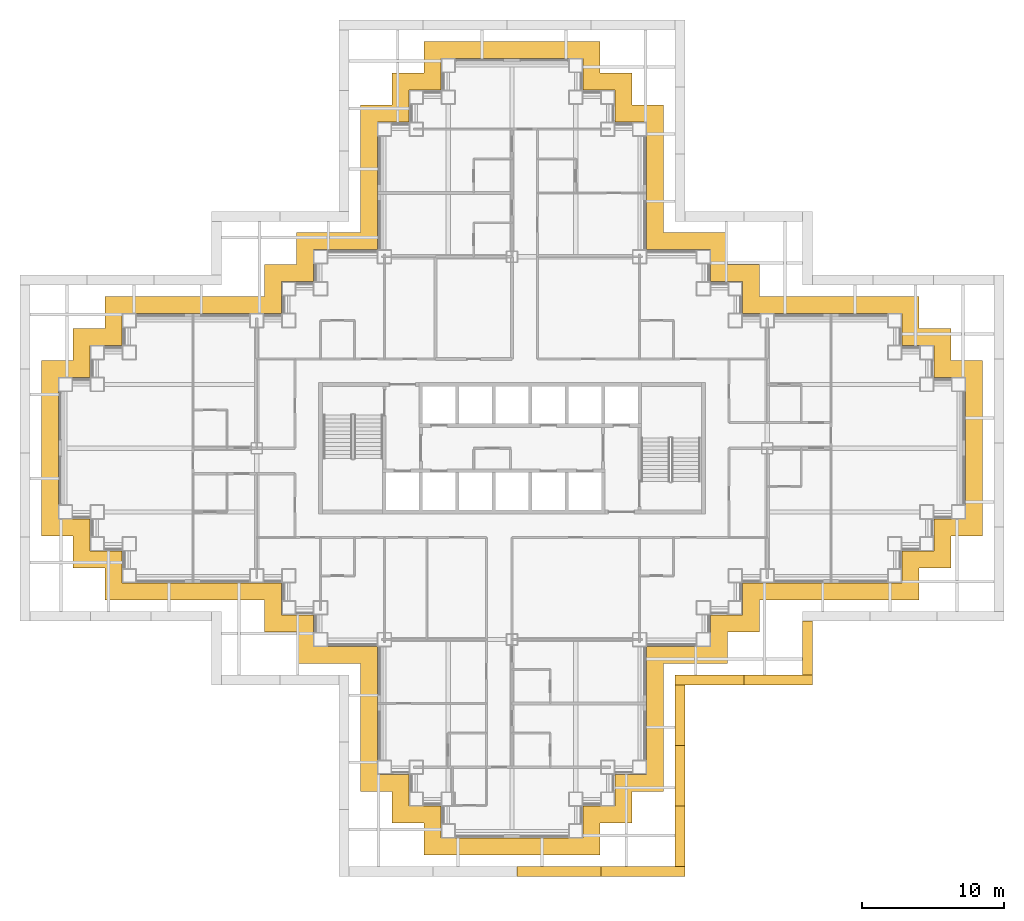
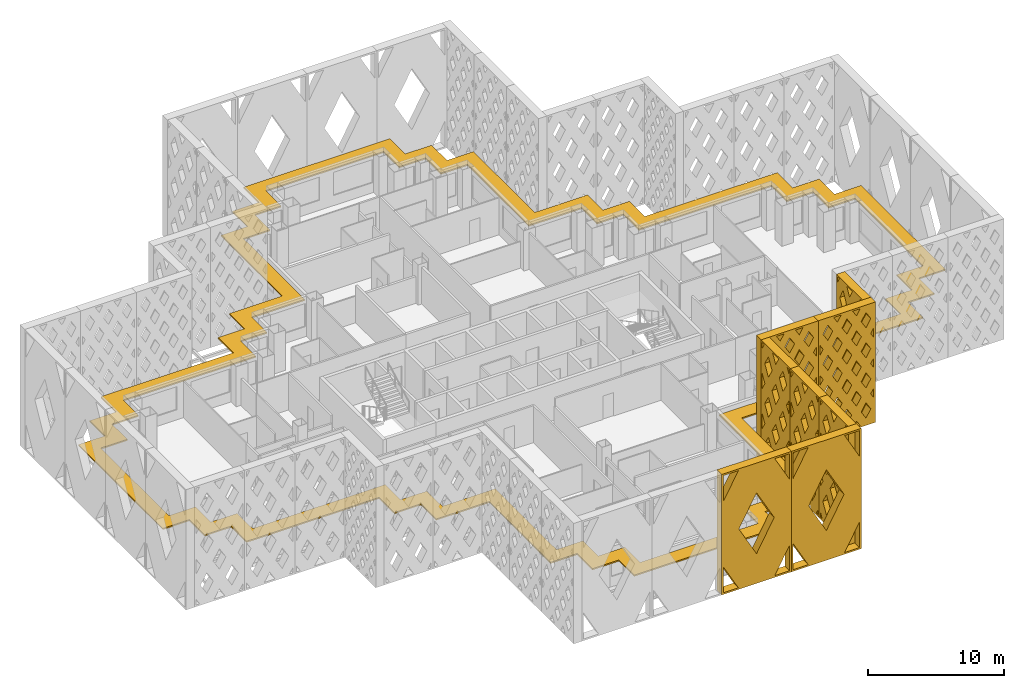
# One storey, part 15 of 19: 9 shading devices.
"""IFC4 building model written with IfcOpenShell, lengths in metres."""

from ifc_helpers import new_model, si_unit, direction, frame, origin, place, context, subcontext, project, spatial, polyline, outline, extrude, material, layer, layer_set, type_object, element, save


model = new_model("IFC4")

# Units and contexts
model_context = context("Model", 3, precision=1e-05, world=origin(), true_north=direction((0.0, 1.0)))
body_context = subcontext(model_context, "Body", "Model", "MODEL_VIEW")
ifc_project = project(units=[si_unit("LENGTHUNIT", "METRE"), si_unit("AREAUNIT", "SQUARE_METRE"), si_unit("VOLUMEUNIT", "CUBIC_METRE"), si_unit("PLANEANGLEUNIT", "RADIAN"), si_unit("MASSUNIT", "GRAM", prefix="KILO")], contexts=[model_context])

# Site, building, storey
site_placement = place(None, origin())
site = spatial("IfcSite", under=ifc_project, at=site_placement, CompositionType="ELEMENT")
building_placement = place(site_placement, origin())
building = spatial("IfcBuilding", under=site, at=building_placement, Name="Caravel Reach Hotel and Residences", CompositionType="ELEMENT")
storey_placement = place(building_placement, frame((0.0, 0.0, 63.60009765625)))
storey = spatial("IfcBuildingStorey", under=building, at=storey_placement, Name="L14", CompositionType="ELEMENT", Elevation=63.60009765625)

# Shading devices
ifc_material_1 = material(Name="Black powder-coated aluminium", Category="aluminium")
shading_device_type_1 = type_object("IfcShadingDeviceType", Name="Diamond lattice screen panel 3800 x 10800", PredefinedType="USERDEFINED", material=ifc_material_1)
shading_device_1_placement = place(storey_placement, frame((52.0, 11.0, 0.0), z_axis=(1.0, 0.0, 0.0), x_axis=(0.0, 1.0, 0.0)))
element("IfcShadingDevice", 1, at=shading_device_1_placement, inside=storey, type_object=shading_device_type_1, Name="Lattice screen L14-L16 5.1", ObjectType="SCREEN", PredefinedType="USERDEFINED", context=body_context, shape_type="SweptSolid", body=[
    extrude(outline(polyline([(0.0, 0.0), (3.800048828125, 0.0), (3.800048828125, 10.800048828125), (0.0, 10.800048828125), (0.0, 0.0)]), holes=[polyline([(0.41015625, 0.14990234375), (0.14990234375, 0.64306640625), (0.14990234375, 0.14990234375), (0.41015625, 0.14990234375)]), polyline([(0.489501953125, 3.60009765625), (0.14990234375, 4.2431640625), (0.14990234375, 2.956787109375), (0.489501953125, 3.60009765625)]), polyline([(0.489501953125, 7.199951171875), (0.14990234375, 7.843017578125), (0.14990234375, 6.556884765625), (0.489501953125, 7.199951171875)]), polyline([(0.14990234375, 10.156982421875), (0.41015625, 10.64990234375), (0.14990234375, 10.64990234375), (0.14990234375, 10.156982421875)]), polyline([(0.949951171875, 2.727294921875), (0.460693359375, 1.800048828125), (0.949951171875, 0.872802734375), (1.439453125, 1.800048828125), (0.949951171875, 2.727294921875)]), polyline([(0.949951171875, 6.327392578125), (0.460693359375, 5.39990234375), (0.949951171875, 4.47265625), (1.439453125, 5.39990234375), (0.949951171875, 6.327392578125)]), polyline([(0.949951171875, 9.92724609375), (0.460693359375, 9.0), (0.949951171875, 8.07275390625), (1.439453125, 9.0), (0.949951171875, 9.92724609375)]), polyline([(1.89990234375, 0.92724609375), (1.48974609375, 0.14990234375), (2.310302734375, 0.14990234375), (1.89990234375, 0.92724609375)]), polyline([(1.89990234375, 4.52734375), (1.41064453125, 3.60009765625), (1.89990234375, 2.672607421875), (2.389404296875, 3.60009765625), (1.89990234375, 4.52734375)]), polyline([(1.89990234375, 8.127197265625), (1.41064453125, 7.199951171875), (1.89990234375, 6.272705078125), (2.389404296875, 7.199951171875), (1.89990234375, 8.127197265625)]), polyline([(1.89990234375, 9.872802734375), (2.310302734375, 10.64990234375), (1.48974609375, 10.64990234375), (1.89990234375, 9.872802734375)]), polyline([(2.85009765625, 2.727294921875), (2.360595703125, 1.800048828125), (2.85009765625, 0.872802734375), (3.33935546875, 1.800048828125), (2.85009765625, 2.727294921875)]), polyline([(2.85009765625, 6.327392578125), (2.360595703125, 5.39990234375), (2.85009765625, 4.47265625), (3.33935546875, 5.39990234375), (2.85009765625, 6.327392578125)]), polyline([(2.85009765625, 9.92724609375), (2.360595703125, 9.0), (2.85009765625, 8.07275390625), (3.33935546875, 9.0), (2.85009765625, 9.92724609375)]), polyline([(3.64990234375, 0.64306640625), (3.3896484375, 0.14990234375), (3.64990234375, 0.14990234375), (3.64990234375, 0.64306640625)]), polyline([(3.310546875, 3.60009765625), (3.64990234375, 2.956787109375), (3.64990234375, 4.2431640625), (3.310546875, 3.60009765625)]), polyline([(3.310546875, 7.199951171875), (3.64990234375, 6.556884765625), (3.64990234375, 7.843017578125), (3.310546875, 7.199951171875)]), polyline([(3.3896484375, 10.64990234375), (3.64990234375, 10.156982421875), (3.64990234375, 10.64990234375), (3.3896484375, 10.64990234375)])]), origin(), (0.0, 0.0, 1.0), 0.699951171875),
])
ifc_material_2 = material(Name="Black powder-coated aluminium", Category="aluminium")
shading_device_type_2 = type_object("IfcShadingDeviceType", Name="Diamond lattice screen panel 4267 x 10800", PredefinedType="USERDEFINED", material=ifc_material_2)
shading_device_2_placement = place(storey_placement, frame((43.0, -2.5, 0.0), z_axis=(1.0, 0.0, 0.0), x_axis=(0.0, 1.0, 0.0)))
element("IfcShadingDevice", 2, at=shading_device_2_placement, inside=storey, type_object=shading_device_type_2, Name="Lattice screen L14-L16 3.1", ObjectType="SCREEN", PredefinedType="USERDEFINED", context=body_context, shape_type="SweptSolid", body=[
    extrude(outline(polyline([(0.0, 0.0), (4.2666015625, 0.0), (4.2666015625, 10.800048828125), (0.0, 10.800048828125), (0.0, 0.0)]), holes=[polyline([(0.457275390625, 0.14990234375), (0.14990234375, 0.66845703125), (0.14990234375, 0.14990234375), (0.457275390625, 0.14990234375)]), polyline([(0.546142578125, 3.60009765625), (0.14990234375, 4.2685546875), (0.14990234375, 2.931396484375), (0.546142578125, 3.60009765625)]), polyline([(0.546142578125, 7.199951171875), (0.14990234375, 7.868408203125), (0.14990234375, 6.531494140625), (0.546142578125, 7.199951171875)]), polyline([(0.14990234375, 10.131591796875), (0.457275390625, 10.64990234375), (0.14990234375, 10.64990234375), (0.14990234375, 10.131591796875)]), polyline([(1.066650390625, 2.7216796875), (0.5205078125, 1.800048828125), (1.066650390625, 0.87841796875), (1.61279296875, 1.800048828125), (1.066650390625, 2.7216796875)]), polyline([(1.066650390625, 6.321533203125), (0.5205078125, 5.39990234375), (1.066650390625, 4.478271484375), (1.61279296875, 5.39990234375), (1.066650390625, 6.321533203125)]), polyline([(1.066650390625, 9.921630859375), (0.5205078125, 9.0), (1.066650390625, 8.078369140625), (1.61279296875, 9.0), (1.066650390625, 9.921630859375)]), polyline([(2.13330078125, 0.921630859375), (1.676025390625, 0.14990234375), (2.590576171875, 0.14990234375), (2.13330078125, 0.921630859375)]), polyline([(2.13330078125, 4.521728515625), (1.587158203125, 3.60009765625), (2.13330078125, 2.678466796875), (2.679443359375, 3.60009765625), (2.13330078125, 4.521728515625)]), polyline([(2.13330078125, 8.12158203125), (1.587158203125, 7.199951171875), (2.13330078125, 6.2783203125), (2.679443359375, 7.199951171875), (2.13330078125, 8.12158203125)]), polyline([(2.13330078125, 9.87841796875), (2.590576171875, 10.64990234375), (1.676025390625, 10.64990234375), (2.13330078125, 9.87841796875)]), polyline([(3.199951171875, 2.7216796875), (2.65380859375, 1.800048828125), (3.199951171875, 0.87841796875), (3.74609375, 1.800048828125), (3.199951171875, 2.7216796875)]), polyline([(3.199951171875, 6.321533203125), (2.65380859375, 5.39990234375), (3.199951171875, 4.478271484375), (3.74609375, 5.39990234375), (3.199951171875, 6.321533203125)]), polyline([(3.199951171875, 9.921630859375), (2.65380859375, 9.0), (3.199951171875, 8.078369140625), (3.74609375, 9.0), (3.199951171875, 9.921630859375)]), polyline([(4.11669921875, 0.66845703125), (3.809326171875, 0.14990234375), (4.11669921875, 0.14990234375), (4.11669921875, 0.66845703125)]), polyline([(3.720458984375, 3.60009765625), (4.11669921875, 2.931396484375), (4.11669921875, 4.2685546875), (3.720458984375, 3.60009765625)]), polyline([(3.720458984375, 7.199951171875), (4.11669921875, 6.531494140625), (4.11669921875, 7.868408203125), (3.720458984375, 7.199951171875)]), polyline([(3.809326171875, 10.64990234375), (4.11669921875, 10.131591796875), (4.11669921875, 10.64990234375), (3.809326171875, 10.64990234375)])]), origin(), (0.0, 0.0, 1.0), 0.699951171875),
])
shading_device_3_placement = place(storey_placement, frame((43.0, 1.7666015625, 0.0), z_axis=(1.0, 0.0, 0.0), x_axis=(0.0, 1.0, 0.0)))
element("IfcShadingDevice", 3, at=shading_device_3_placement, inside=storey, type_object=shading_device_type_2, Name="Lattice screen L14-L16 3.2", ObjectType="SCREEN", PredefinedType="USERDEFINED", context=body_context, shape_type="SweptSolid", body=[
    extrude(outline(polyline([(0.0, 0.0), (4.2666015625, 0.0), (4.2666015625, 10.800048828125), (0.0, 10.800048828125), (0.0, 0.0)]), holes=[polyline([(0.457275390625, 0.14990234375), (0.14990234375, 0.66845703125), (0.14990234375, 0.14990234375), (0.457275390625, 0.14990234375)]), polyline([(0.546142578125, 3.60009765625), (0.14990234375, 4.2685546875), (0.14990234375, 2.931396484375), (0.546142578125, 3.60009765625)]), polyline([(0.546142578125, 7.199951171875), (0.14990234375, 7.868408203125), (0.14990234375, 6.531494140625), (0.546142578125, 7.199951171875)]), polyline([(0.14990234375, 10.131591796875), (0.457275390625, 10.64990234375), (0.14990234375, 10.64990234375), (0.14990234375, 10.131591796875)]), polyline([(1.066650390625, 2.7216796875), (0.5205078125, 1.800048828125), (1.066650390625, 0.87841796875), (1.61279296875, 1.800048828125), (1.066650390625, 2.7216796875)]), polyline([(1.066650390625, 6.321533203125), (0.5205078125, 5.39990234375), (1.066650390625, 4.478271484375), (1.61279296875, 5.39990234375), (1.066650390625, 6.321533203125)]), polyline([(1.066650390625, 9.921630859375), (0.5205078125, 9.0), (1.066650390625, 8.078369140625), (1.61279296875, 9.0), (1.066650390625, 9.921630859375)]), polyline([(2.13330078125, 0.921630859375), (1.676025390625, 0.14990234375), (2.590576171875, 0.14990234375), (2.13330078125, 0.921630859375)]), polyline([(2.13330078125, 4.521728515625), (1.587158203125, 3.60009765625), (2.13330078125, 2.678466796875), (2.679443359375, 3.60009765625), (2.13330078125, 4.521728515625)]), polyline([(2.13330078125, 8.12158203125), (1.587158203125, 7.199951171875), (2.13330078125, 6.2783203125), (2.679443359375, 7.199951171875), (2.13330078125, 8.12158203125)]), polyline([(2.13330078125, 9.87841796875), (2.590576171875, 10.64990234375), (1.676025390625, 10.64990234375), (2.13330078125, 9.87841796875)]), polyline([(3.199951171875, 2.7216796875), (2.65380859375, 1.800048828125), (3.199951171875, 0.87841796875), (3.74609375, 1.800048828125), (3.199951171875, 2.7216796875)]), polyline([(3.199951171875, 6.321533203125), (2.65380859375, 5.39990234375), (3.199951171875, 4.478271484375), (3.74609375, 5.39990234375), (3.199951171875, 6.321533203125)]), polyline([(3.199951171875, 9.921630859375), (2.65380859375, 9.0), (3.199951171875, 8.078369140625), (3.74609375, 9.0), (3.199951171875, 9.921630859375)]), polyline([(4.11669921875, 0.66845703125), (3.809326171875, 0.14990234375), (4.11669921875, 0.14990234375), (4.11669921875, 0.66845703125)]), polyline([(3.720458984375, 3.60009765625), (4.11669921875, 2.931396484375), (4.11669921875, 4.2685546875), (3.720458984375, 3.60009765625)]), polyline([(3.720458984375, 7.199951171875), (4.11669921875, 6.531494140625), (4.11669921875, 7.868408203125), (3.720458984375, 7.199951171875)]), polyline([(3.809326171875, 10.64990234375), (4.11669921875, 10.131591796875), (4.11669921875, 10.64990234375), (3.809326171875, 10.64990234375)])]), origin(), (0.0, 0.0, 1.0), 0.699951171875),
])
shading_device_4_placement = place(storey_placement, frame((43.0, 6.033447265625, 0.0), z_axis=(1.0, 0.0, 0.0), x_axis=(0.0, 1.0, 0.0)))
element("IfcShadingDevice", 4, at=shading_device_4_placement, inside=storey, type_object=shading_device_type_2, Name="Lattice screen L14-L16 3.3", ObjectType="SCREEN", PredefinedType="USERDEFINED", context=body_context, shape_type="SweptSolid", body=[
    extrude(outline(polyline([(0.0, 0.0), (4.2666015625, 0.0), (4.2666015625, 10.800048828125), (0.0, 10.800048828125), (0.0, 0.0)]), holes=[polyline([(0.457275390625, 0.14990234375), (0.14990234375, 0.66845703125), (0.14990234375, 0.14990234375), (0.457275390625, 0.14990234375)]), polyline([(0.546142578125, 3.60009765625), (0.14990234375, 4.2685546875), (0.14990234375, 2.931396484375), (0.546142578125, 3.60009765625)]), polyline([(0.546142578125, 7.199951171875), (0.14990234375, 7.868408203125), (0.14990234375, 6.531494140625), (0.546142578125, 7.199951171875)]), polyline([(0.14990234375, 10.131591796875), (0.457275390625, 10.64990234375), (0.14990234375, 10.64990234375), (0.14990234375, 10.131591796875)]), polyline([(1.066650390625, 2.7216796875), (0.5205078125, 1.800048828125), (1.066650390625, 0.87841796875), (1.61279296875, 1.800048828125), (1.066650390625, 2.7216796875)]), polyline([(1.066650390625, 6.321533203125), (0.5205078125, 5.39990234375), (1.066650390625, 4.478271484375), (1.61279296875, 5.39990234375), (1.066650390625, 6.321533203125)]), polyline([(1.066650390625, 9.921630859375), (0.5205078125, 9.0), (1.066650390625, 8.078369140625), (1.61279296875, 9.0), (1.066650390625, 9.921630859375)]), polyline([(2.13330078125, 0.921630859375), (1.676025390625, 0.14990234375), (2.590576171875, 0.14990234375), (2.13330078125, 0.921630859375)]), polyline([(2.13330078125, 4.521728515625), (1.587158203125, 3.60009765625), (2.13330078125, 2.678466796875), (2.679443359375, 3.60009765625), (2.13330078125, 4.521728515625)]), polyline([(2.13330078125, 8.12158203125), (1.587158203125, 7.199951171875), (2.13330078125, 6.2783203125), (2.679443359375, 7.199951171875), (2.13330078125, 8.12158203125)]), polyline([(2.13330078125, 9.87841796875), (2.590576171875, 10.64990234375), (1.676025390625, 10.64990234375), (2.13330078125, 9.87841796875)]), polyline([(3.199951171875, 2.7216796875), (2.65380859375, 1.800048828125), (3.199951171875, 0.87841796875), (3.74609375, 1.800048828125), (3.199951171875, 2.7216796875)]), polyline([(3.199951171875, 6.321533203125), (2.65380859375, 5.39990234375), (3.199951171875, 4.478271484375), (3.74609375, 5.39990234375), (3.199951171875, 6.321533203125)]), polyline([(3.199951171875, 9.921630859375), (2.65380859375, 9.0), (3.199951171875, 8.078369140625), (3.74609375, 9.0), (3.199951171875, 9.921630859375)]), polyline([(4.11669921875, 0.66845703125), (3.809326171875, 0.14990234375), (4.11669921875, 0.14990234375), (4.11669921875, 0.66845703125)]), polyline([(3.720458984375, 3.60009765625), (4.11669921875, 2.931396484375), (4.11669921875, 4.2685546875), (3.720458984375, 3.60009765625)]), polyline([(3.720458984375, 7.199951171875), (4.11669921875, 6.531494140625), (4.11669921875, 7.868408203125), (3.720458984375, 7.199951171875)]), polyline([(3.809326171875, 10.64990234375), (4.11669921875, 10.131591796875), (4.11669921875, 10.64990234375), (3.809326171875, 10.64990234375)])]), origin(), (0.0, 0.0, 1.0), 0.699951171875),
])
ifc_material_3 = material(Name="Black powder-coated aluminium", Category="aluminium")
shading_device_type_3 = type_object("IfcShadingDeviceType", Name="Diamond lattice screen panel 4850 x 10800", PredefinedType="USERDEFINED", material=ifc_material_3)
shading_device_5_placement = place(storey_placement, frame((43.0, 11.0, 0.0), z_axis=(0.0, -1.0, 0.0), x_axis=(1.0, 0.0, 0.0)))
element("IfcShadingDevice", 5, at=shading_device_5_placement, inside=storey, type_object=shading_device_type_3, Name="Lattice screen L14-L16 4.1", ObjectType="SCREEN", PredefinedType="USERDEFINED", context=body_context, shape_type="SweptSolid", body=[
    extrude(outline(polyline([(0.0, 0.0), (4.85009765625, 0.0), (4.85009765625, 10.800048828125), (0.0, 10.800048828125), (0.0, 0.0)]), holes=[polyline([(0.410888671875, 2.699951171875), (0.14990234375, 3.1357421875), (0.14990234375, 2.26416015625), (0.410888671875, 2.699951171875)]), polyline([(0.410888671875, 5.39990234375), (0.14990234375, 5.835693359375), (0.14990234375, 4.964111328125), (0.410888671875, 5.39990234375)]), polyline([(0.410888671875, 8.10009765625), (0.14990234375, 8.535888671875), (0.14990234375, 7.664306640625), (0.410888671875, 8.10009765625)]), polyline([(0.808349609375, 2.036376953125), (0.3974609375, 1.35009765625), (0.808349609375, 0.663818359375), (1.21923828125, 1.35009765625), (0.808349609375, 2.036376953125)]), polyline([(0.808349609375, 4.736328125), (0.3974609375, 4.050048828125), (0.808349609375, 3.36376953125), (1.21923828125, 4.050048828125), (0.808349609375, 4.736328125)]), polyline([(0.808349609375, 7.436279296875), (0.3974609375, 6.75), (0.808349609375, 6.063720703125), (1.21923828125, 6.75), (0.808349609375, 7.436279296875)]), polyline([(0.808349609375, 10.13623046875), (0.3974609375, 9.449951171875), (0.808349609375, 8.763671875), (1.21923828125, 9.449951171875), (0.808349609375, 10.13623046875)]), polyline([(1.61669921875, 0.686279296875), (1.295654296875, 0.14990234375), (1.937744140625, 0.14990234375), (1.61669921875, 0.686279296875)]), polyline([(1.61669921875, 3.38623046875), (1.205810546875, 2.699951171875), (1.61669921875, 2.013671875), (2.027587890625, 2.699951171875), (1.61669921875, 3.38623046875)]), polyline([(1.61669921875, 6.086181640625), (1.205810546875, 5.39990234375), (1.61669921875, 4.713623046875), (2.027587890625, 5.39990234375), (1.61669921875, 6.086181640625)]), polyline([(1.61669921875, 8.786376953125), (1.205810546875, 8.10009765625), (1.61669921875, 7.413818359375), (2.027587890625, 8.10009765625), (1.61669921875, 8.786376953125)]), polyline([(1.61669921875, 10.11376953125), (1.937744140625, 10.64990234375), (1.295654296875, 10.64990234375), (1.61669921875, 10.11376953125)]), polyline([(2.425048828125, 2.036376953125), (2.01416015625, 1.35009765625), (2.425048828125, 0.663818359375), (2.8359375, 1.35009765625), (2.425048828125, 2.036376953125)]), polyline([(2.425048828125, 4.736328125), (2.01416015625, 4.050048828125), (2.425048828125, 3.36376953125), (2.8359375, 4.050048828125), (2.425048828125, 4.736328125)]), polyline([(2.425048828125, 7.436279296875), (2.01416015625, 6.75), (2.425048828125, 6.063720703125), (2.8359375, 6.75), (2.425048828125, 7.436279296875)]), polyline([(2.425048828125, 10.13623046875), (2.01416015625, 9.449951171875), (2.425048828125, 8.763671875), (2.8359375, 9.449951171875), (2.425048828125, 10.13623046875)]), polyline([(3.2333984375, 0.686279296875), (2.912109375, 0.14990234375), (3.554443359375, 0.14990234375), (3.2333984375, 0.686279296875)]), polyline([(3.2333984375, 3.38623046875), (2.822509765625, 2.699951171875), (3.2333984375, 2.013671875), (3.644287109375, 2.699951171875), (3.2333984375, 3.38623046875)]), polyline([(3.2333984375, 6.086181640625), (2.822509765625, 5.39990234375), (3.2333984375, 4.713623046875), (3.644287109375, 5.39990234375), (3.2333984375, 6.086181640625)]), polyline([(3.2333984375, 8.786376953125), (2.822509765625, 8.10009765625), (3.2333984375, 7.413818359375), (3.644287109375, 8.10009765625), (3.2333984375, 8.786376953125)]), polyline([(3.2333984375, 10.11376953125), (3.554443359375, 10.64990234375), (2.912109375, 10.64990234375), (3.2333984375, 10.11376953125)]), polyline([(4.041748046875, 2.036376953125), (3.630859375, 1.35009765625), (4.041748046875, 0.663818359375), (4.45263671875, 1.35009765625), (4.041748046875, 2.036376953125)]), polyline([(4.041748046875, 4.736328125), (3.630859375, 4.050048828125), (4.041748046875, 3.36376953125), (4.45263671875, 4.050048828125), (4.041748046875, 4.736328125)]), polyline([(4.041748046875, 7.436279296875), (3.630859375, 6.75), (4.041748046875, 6.063720703125), (4.45263671875, 6.75), (4.041748046875, 7.436279296875)]), polyline([(4.041748046875, 10.13623046875), (3.630859375, 9.449951171875), (4.041748046875, 8.763671875), (4.45263671875, 9.449951171875), (4.041748046875, 10.13623046875)]), polyline([(4.43896484375, 2.699951171875), (4.699951171875, 2.26416015625), (4.699951171875, 3.1357421875), (4.43896484375, 2.699951171875)]), polyline([(4.43896484375, 5.39990234375), (4.699951171875, 4.964111328125), (4.699951171875, 5.835693359375), (4.43896484375, 5.39990234375)]), polyline([(4.43896484375, 8.10009765625), (4.699951171875, 7.664306640625), (4.699951171875, 8.535888671875), (4.43896484375, 8.10009765625)])]), origin(), (0.0, 0.0, 1.0), 0.699951171875),
])
shading_device_6_placement = place(storey_placement, frame((47.85009765625, 11.0, 0.0), z_axis=(0.0, -1.0, 0.0), x_axis=(1.0, 0.0, 0.0)))
element("IfcShadingDevice", 6, at=shading_device_6_placement, inside=storey, type_object=shading_device_type_3, Name="Lattice screen L14-L16 4.2", ObjectType="SCREEN", PredefinedType="USERDEFINED", context=body_context, shape_type="SweptSolid", body=[
    extrude(outline(polyline([(0.0, 0.0), (4.85009765625, 0.0), (4.85009765625, 10.800048828125), (0.0, 10.800048828125), (0.0, 0.0)]), holes=[polyline([(0.410888671875, 2.699951171875), (0.14990234375, 3.1357421875), (0.14990234375, 2.26416015625), (0.410888671875, 2.699951171875)]), polyline([(0.410888671875, 5.39990234375), (0.14990234375, 5.835693359375), (0.14990234375, 4.964111328125), (0.410888671875, 5.39990234375)]), polyline([(0.410888671875, 8.10009765625), (0.14990234375, 8.535888671875), (0.14990234375, 7.664306640625), (0.410888671875, 8.10009765625)]), polyline([(0.808349609375, 2.036376953125), (0.3974609375, 1.35009765625), (0.808349609375, 0.663818359375), (1.21923828125, 1.35009765625), (0.808349609375, 2.036376953125)]), polyline([(0.808349609375, 4.736328125), (0.3974609375, 4.050048828125), (0.808349609375, 3.36376953125), (1.21923828125, 4.050048828125), (0.808349609375, 4.736328125)]), polyline([(0.808349609375, 7.436279296875), (0.3974609375, 6.75), (0.808349609375, 6.063720703125), (1.21923828125, 6.75), (0.808349609375, 7.436279296875)]), polyline([(0.808349609375, 10.13623046875), (0.3974609375, 9.449951171875), (0.808349609375, 8.763671875), (1.21923828125, 9.449951171875), (0.808349609375, 10.13623046875)]), polyline([(1.61669921875, 0.686279296875), (1.295654296875, 0.14990234375), (1.937744140625, 0.14990234375), (1.61669921875, 0.686279296875)]), polyline([(1.61669921875, 3.38623046875), (1.205810546875, 2.699951171875), (1.61669921875, 2.013671875), (2.027587890625, 2.699951171875), (1.61669921875, 3.38623046875)]), polyline([(1.61669921875, 6.086181640625), (1.205810546875, 5.39990234375), (1.61669921875, 4.713623046875), (2.027587890625, 5.39990234375), (1.61669921875, 6.086181640625)]), polyline([(1.61669921875, 8.786376953125), (1.205810546875, 8.10009765625), (1.61669921875, 7.413818359375), (2.027587890625, 8.10009765625), (1.61669921875, 8.786376953125)]), polyline([(1.61669921875, 10.11376953125), (1.937744140625, 10.64990234375), (1.295654296875, 10.64990234375), (1.61669921875, 10.11376953125)]), polyline([(2.425048828125, 2.036376953125), (2.01416015625, 1.35009765625), (2.425048828125, 0.663818359375), (2.8359375, 1.35009765625), (2.425048828125, 2.036376953125)]), polyline([(2.425048828125, 4.736328125), (2.01416015625, 4.050048828125), (2.425048828125, 3.36376953125), (2.8359375, 4.050048828125), (2.425048828125, 4.736328125)]), polyline([(2.425048828125, 7.436279296875), (2.01416015625, 6.75), (2.425048828125, 6.063720703125), (2.8359375, 6.75), (2.425048828125, 7.436279296875)]), polyline([(2.425048828125, 10.13623046875), (2.01416015625, 9.449951171875), (2.425048828125, 8.763671875), (2.8359375, 9.449951171875), (2.425048828125, 10.13623046875)]), polyline([(3.2333984375, 0.686279296875), (2.912109375, 0.14990234375), (3.554443359375, 0.14990234375), (3.2333984375, 0.686279296875)]), polyline([(3.2333984375, 3.38623046875), (2.822509765625, 2.699951171875), (3.2333984375, 2.013671875), (3.644287109375, 2.699951171875), (3.2333984375, 3.38623046875)]), polyline([(3.2333984375, 6.086181640625), (2.822509765625, 5.39990234375), (3.2333984375, 4.713623046875), (3.644287109375, 5.39990234375), (3.2333984375, 6.086181640625)]), polyline([(3.2333984375, 8.786376953125), (2.822509765625, 8.10009765625), (3.2333984375, 7.413818359375), (3.644287109375, 8.10009765625), (3.2333984375, 8.786376953125)]), polyline([(3.2333984375, 10.11376953125), (3.554443359375, 10.64990234375), (2.912109375, 10.64990234375), (3.2333984375, 10.11376953125)]), polyline([(4.041748046875, 2.036376953125), (3.630859375, 1.35009765625), (4.041748046875, 0.663818359375), (4.45263671875, 1.35009765625), (4.041748046875, 2.036376953125)]), polyline([(4.041748046875, 4.736328125), (3.630859375, 4.050048828125), (4.041748046875, 3.36376953125), (4.45263671875, 4.050048828125), (4.041748046875, 4.736328125)]), polyline([(4.041748046875, 7.436279296875), (3.630859375, 6.75), (4.041748046875, 6.063720703125), (4.45263671875, 6.75), (4.041748046875, 7.436279296875)]), polyline([(4.041748046875, 10.13623046875), (3.630859375, 9.449951171875), (4.041748046875, 8.763671875), (4.45263671875, 9.449951171875), (4.041748046875, 10.13623046875)]), polyline([(4.43896484375, 2.699951171875), (4.699951171875, 2.26416015625), (4.699951171875, 3.1357421875), (4.43896484375, 2.699951171875)]), polyline([(4.43896484375, 5.39990234375), (4.699951171875, 4.964111328125), (4.699951171875, 5.835693359375), (4.43896484375, 5.39990234375)]), polyline([(4.43896484375, 8.10009765625), (4.699951171875, 7.664306640625), (4.699951171875, 8.535888671875), (4.43896484375, 8.10009765625)])]), origin(), (0.0, 0.0, 1.0), 0.699951171875),
])
ifc_material_4 = material(Name="Black powder-coated aluminium", Category="aluminium")
shading_device_type_4 = type_object("IfcShadingDeviceType", Name="Diamond lattice screen panel 5925 x 10800", PredefinedType="USERDEFINED", material=ifc_material_4)
for number, where, z_axis, x_axis, name in (
    (7, (31.85009765625, -2.5, 0.0), (0.0, -1.0, 0.0), (1.0, 0.0, 0.0), "Lattice screen L14-L16 2.3"),
    (8, (37.77490234375, -2.5, 0.0), (0.0, -1.0, 0.0), (1.0, 0.0, 0.0), "Lattice screen L14-L16 2.4"),
):
    element("IfcShadingDevice", number, at=place(storey_placement, frame(where, z_axis=z_axis, x_axis=x_axis)), inside=storey, type_object=shading_device_type_4, Name=name, ObjectType="SCREEN", PredefinedType="USERDEFINED", context=body_context, shape_type="SweptSolid", body=[
        extrude(outline(polyline([(0.0, 0.0), (5.925048828125, 0.0), (5.925048828125, 10.800048828125), (0.0, 10.800048828125), (0.0, 0.0)]), holes=[polyline([(1.41845703125, 0.14990234375), (0.14990234375, 2.462158203125), (0.14990234375, 0.14990234375), (1.41845703125, 0.14990234375)]), polyline([(0.14990234375, 8.337646484375), (1.41845703125, 10.64990234375), (0.14990234375, 10.64990234375), (0.14990234375, 8.337646484375)]), polyline([(2.96240234375, 8.1357421875), (1.461669921875, 5.39990234375), (2.96240234375, 2.664306640625), (4.46337890625, 5.39990234375), (2.96240234375, 8.1357421875)]), polyline([(5.77490234375, 2.462158203125), (4.506591796875, 0.14990234375), (5.77490234375, 0.14990234375), (5.77490234375, 2.462158203125)]), polyline([(4.506591796875, 10.64990234375), (5.77490234375, 8.337646484375), (5.77490234375, 10.64990234375), (4.506591796875, 10.64990234375)])]), origin(), (0.0, 0.0, 1.0), 0.699951171875),
    ])
ifc_material_5 = material(Name="Black powder-coated aluminium", Category="aluminium")
ifc_layer = layer(ifc_material_5, 0.1201171875)
ifc_layer_set = layer_set([ifc_layer], Name="SS1 Sunshade band 1200")
shading_device_type_5 = type_object("IfcShadingDeviceType", Name="SS1 Sunshade band 1200", PredefinedType="USERDEFINED", material=ifc_layer_set)
shading_device_7_placement = place(storey_placement, frame((0.0, 0.0, 3.039794921875)))
element("IfcShadingDevice", 9, at=shading_device_7_placement, inside=storey, type_object=shading_device_type_5, Name="Sunshade L14 1", ObjectType="SUNSHADE", PredefinedType="USERDEFINED", context=body_context, shape_type="SweptSolid", body=[
    extrude(outline(polyline([(20.800048828125, 11.800048828125), (20.800048828125, 2.800048828125), (23.050048828125, 2.800048828125), (23.050048828125, 0.550048828125), (25.300048828125, 0.550048828125), (25.300048828125, -1.699951171875), (37.699951171875, -1.699951171875), (37.699951171875, 0.550048828125), (39.949951171875, 0.550048828125), (39.949951171875, 2.800048828125), (42.199951171875, 2.800048828125), (42.199951171875, 11.800048828125), (46.699951171875, 11.800048828125), (46.699951171875, 14.050048828125), (48.949951171875, 14.050048828125), (48.949951171875, 16.300048828125), (60.199951171875, 16.300048828125), (60.199951171875, 18.550048828125), (62.449951171875, 18.550048828125), (62.449951171875, 20.800048828125), (64.699951171875, 20.800048828125), (64.699951171875, 33.199951171875), (62.449951171875, 33.199951171875), (62.449951171875, 35.449951171875), (60.199951171875, 35.449951171875), (60.199951171875, 37.699951171875), (48.949951171875, 37.699951171875), (48.949951171875, 39.949951171875), (46.699951171875, 39.949951171875), (46.699951171875, 42.199951171875), (42.199951171875, 42.199951171875), (42.199951171875, 51.199951171875), (39.949951171875, 51.199951171875), (39.949951171875, 53.449951171875), (37.699951171875, 53.449951171875), (37.699951171875, 55.699951171875), (25.300048828125, 55.699951171875), (25.300048828125, 53.449951171875), (23.050048828125, 53.449951171875), (23.050048828125, 51.199951171875), (20.800048828125, 51.199951171875), (20.800048828125, 42.199951171875), (16.300048828125, 42.199951171875), (16.300048828125, 39.949951171875), (14.050048828125, 39.949951171875), (14.050048828125, 37.699951171875), (2.800048828125, 37.699951171875), (2.800048828125, 35.449951171875), (0.550048828125, 35.449951171875), (0.550048828125, 33.199951171875), (-1.699951171875, 33.199951171875), (-1.699951171875, 20.800048828125), (0.550048828125, 20.800048828125), (0.550048828125, 18.550048828125), (2.800048828125, 18.550048828125), (2.800048828125, 16.300048828125), (14.050048828125, 16.300048828125), (14.050048828125, 14.050048828125), (16.300048828125, 14.050048828125), (16.300048828125, 11.800048828125), (20.800048828125, 11.800048828125)]), holes=[polyline([(24.25, 4.0), (22.0, 4.0), (22.0, 13.0), (17.5, 13.0), (17.5, 15.25), (15.25, 15.25), (15.25, 17.5), (4.0, 17.5), (4.0, 19.75), (1.75, 19.75), (1.75, 22.0), (-0.5, 22.0), (-0.5, 32.0), (1.75, 32.0), (1.75, 34.25), (4.0, 34.25), (4.0, 36.5), (15.25, 36.5), (15.25, 38.75), (17.5, 38.75), (17.5, 41.0), (22.0, 41.0), (22.0, 50.0), (24.25, 50.0), (24.25, 52.25), (26.5, 52.25), (26.5, 54.5), (36.5, 54.5), (36.5, 52.25), (38.75, 52.25), (38.75, 50.0), (41.0, 50.0), (41.0, 41.0), (45.5, 41.0), (45.5, 38.75), (47.75, 38.75), (47.75, 36.5), (59.0, 36.5), (59.0, 34.25), (61.25, 34.25), (61.25, 32.0), (63.5, 32.0), (63.5, 22.0), (61.25, 22.0), (61.25, 19.75), (59.0, 19.75), (59.0, 17.5), (47.75, 17.5), (47.75, 15.25), (45.5, 15.25), (45.5, 13.0), (41.0, 13.0), (41.0, 4.0), (38.75, 4.0), (38.75, 1.75), (36.5, 1.75), (36.5, -0.5), (26.5, -0.5), (26.5, 1.75), (24.25, 1.75), (24.25, 4.0)])]), origin(), (0.0, 0.0, 1.0), 0.1201171875),
])

save(model, "model.ifc")
